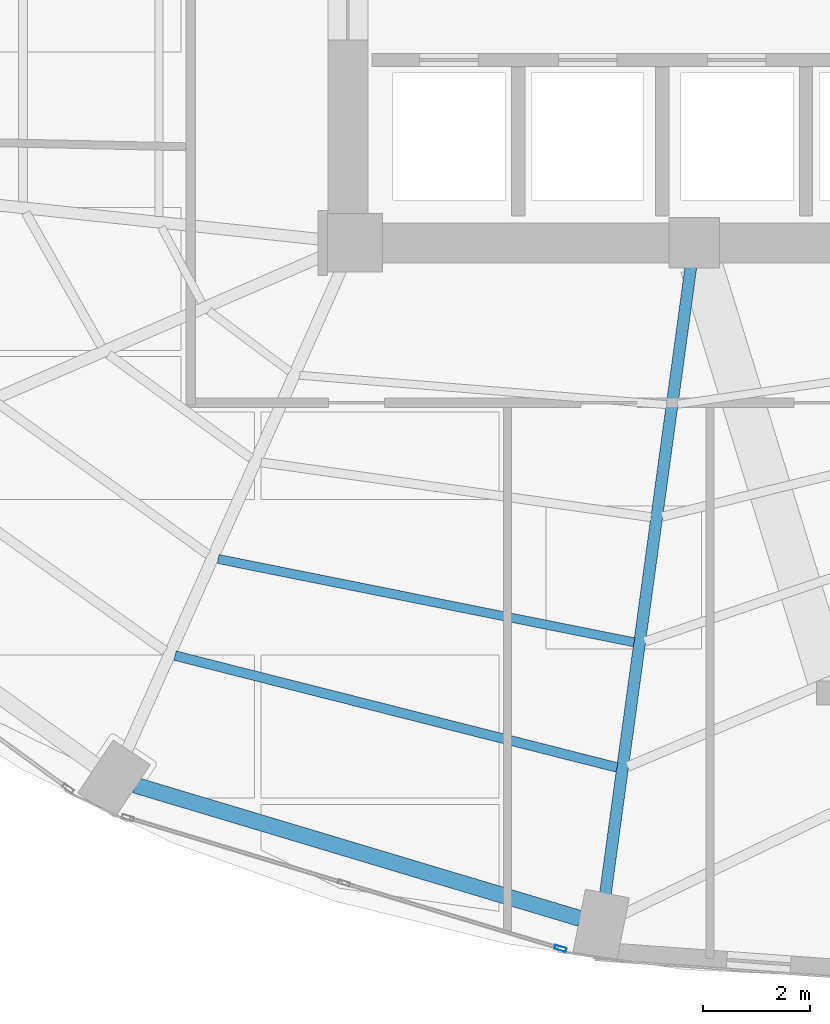
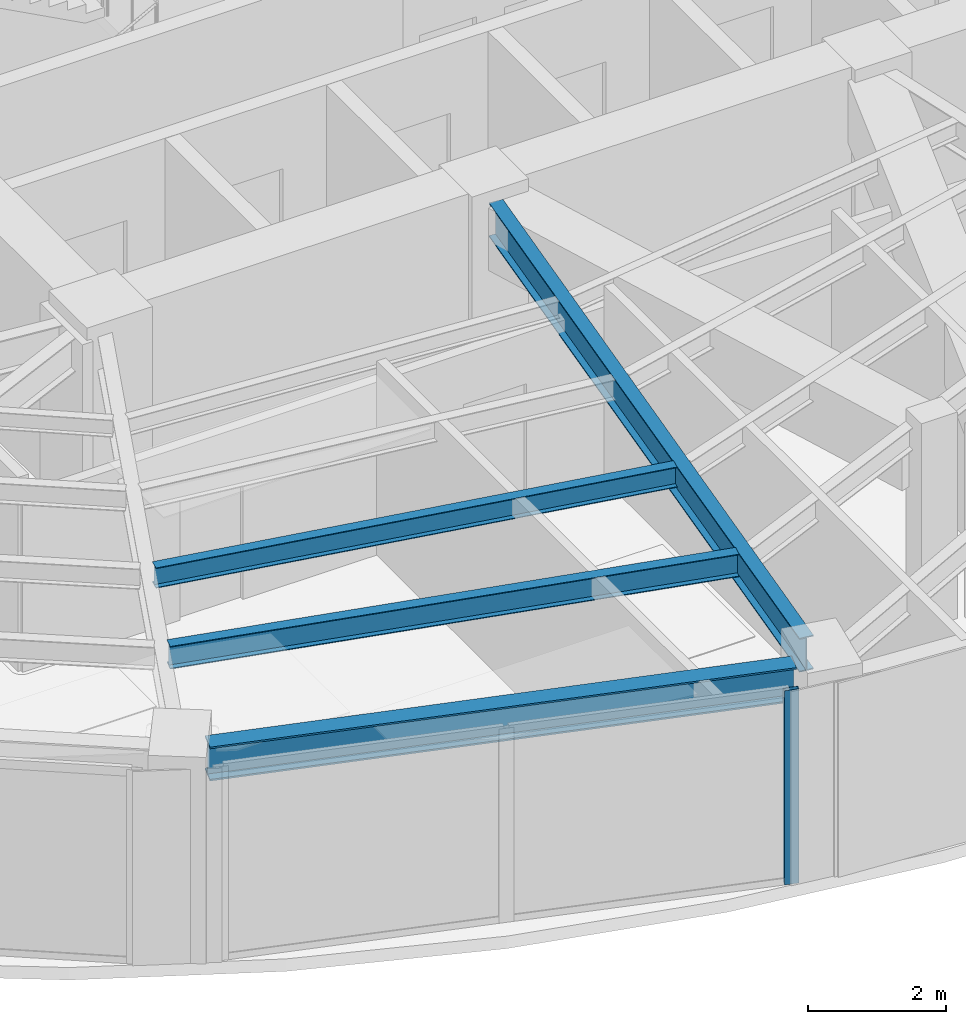
# One storey, part 5 of 23: 4 beams, 1 member, 1 element without a shape of its own.
"""IFC4 building model written with IfcOpenShell, lengths in metres."""

import ifcopenshell
import ifcopenshell.guid

model = None  # the IFC model being written
_history = None  # IfcOwnerHistory: only IFC2X3 demands one
_inside = {}  # id of a spatial element -> (the spatial element, [elements in it])
_under = {}  # id of a project, library or spatial element -> (it, [spatial elements below it])
_declared = {}  # id of a project -> (the project, [libraries it declares])
_typed = {}  # id of a type object -> (the type object, [elements of that type])
_made_of = {}  # id of a material, layer set ... -> (it, [elements and type objects made of it])


def new_model(schema):
    """Start an empty IFC model of exactly this schema.

    Asked for "IFC4X3", IfcOpenShell would pick the latest addendum, in which some entities
    have other attributes; the version numbers below select the first issue.
    IFC2X3 requires an IfcOwnerHistory on every rooted entity: one is made here for all.
    """
    global model, _history
    if schema == "IFC4X3":
        model = ifcopenshell.file(schema_version=(4, 3, 0, 0))
    else:
        model = ifcopenshell.file(schema=schema)
    _inside.clear()
    _under.clear()
    _declared.clear()
    _typed.clear()
    _made_of.clear()
    _history = None
    if model.schema == "IFC2X3":
        org = make("IfcOrganization", Name="unknown")
        user = make(
            "IfcPersonAndOrganization",
            ThePerson=make("IfcPerson", FamilyName="unknown"),
            TheOrganization=org,
        )
        app = make(
            "IfcApplication",
            ApplicationDeveloper=org,
            Version="unknown",
            ApplicationFullName="unknown",
            ApplicationIdentifier="unknown",
        )
        _history = make(
            "IfcOwnerHistory",
            OwningUser=user,
            OwningApplication=app,
            ChangeAction="ADDED",
            CreationDate=0,
        )
    return model


def make(cls, **values):
    """One entity of the class cls with the attributes given. An attribute that is None is left unset."""
    return model.create_entity(
        cls, **{name: value for name, value in values.items() if value is not None}
    )


def rooted(cls, **values):
    """An entity with a GlobalId (a new one), such as an element, a storey or a relation."""
    return make(cls, GlobalId=ifcopenshell.guid.new(), OwnerHistory=_history, **values)


def si_unit(unit_type, name, prefix=None):
    """IfcSIUnit, for example si_unit("LENGTHUNIT", "METRE", prefix="MILLI")."""
    return make("IfcSIUnit", UnitType=unit_type, Prefix=prefix, Name=name)


def assignment(units):
    """IfcUnitAssignment: the units of a project."""
    return None if units is None else make("IfcUnitAssignment", Units=units)


def point(xyz):
    """IfcCartesianPoint."""
    return None if xyz is None else make("IfcCartesianPoint", Coordinates=xyz)


def direction(xyz):
    """IfcDirection."""
    return None if xyz is None else make("IfcDirection", DirectionRatios=xyz)


def frame(location, z_axis=None, x_axis=None):
    """IfcAxis2Placement3D, a coordinate frame: its origin and axes. An axis left out is left unset."""
    return make(
        "IfcAxis2Placement3D",
        Location=point(location),
        Axis=direction(z_axis),
        RefDirection=direction(x_axis),
    )


def frame_2d(location, x_axis=None):
    """IfcAxis2Placement2D, a coordinate frame in the plane: its origin and x axis."""
    return make(
        "IfcAxis2Placement2D", Location=point(location), RefDirection=direction(x_axis)
    )


def origin():
    """The frame at (0, 0, 0) with its axes left unset."""
    return frame((0.0, 0.0, 0.0))


def origin_2d():
    """The frame at (0, 0) in the plane with its x axis left unset."""
    return frame_2d((0.0, 0.0))


def place(relative_to, where):
    """IfcLocalPlacement: puts the frame where relative to a parent placement (None: the world)."""
    return make(
        "IfcLocalPlacement", PlacementRelTo=relative_to, RelativePlacement=where
    )


def context(
    kind, dimensions, precision=None, world=None, true_north=None, identifier=None
):
    """IfcGeometricRepresentationContext, for example the 3D "Model" context."""
    return make(
        "IfcGeometricRepresentationContext",
        ContextIdentifier=identifier,
        ContextType=kind,
        CoordinateSpaceDimension=dimensions,
        Precision=precision,
        WorldCoordinateSystem=world,
        TrueNorth=true_north,
    )


def subcontext(parent, identifier, kind, view, scale=None):
    """IfcGeometricRepresentationSubContext, for example "Body" below "Model"."""
    return make(
        "IfcGeometricRepresentationSubContext",
        ContextIdentifier=identifier,
        ContextType=kind,
        ParentContext=parent,
        TargetScale=scale,
        TargetView=view,
    )


def project(units=None, contexts=None):
    """IfcProject with its units and contexts."""
    return rooted(
        "IfcProject",
        Name="project",
        RepresentationContexts=contexts,
        UnitsInContext=assignment(units),
    )


def spatial(cls, under=None, at=None, **own):
    """A site, building, storey or space (cls), placed at a placement, below another one or the project."""
    s = rooted(cls, ObjectPlacement=at, **own)
    if under is not None:
        _under.setdefault(under.id(), (under, []))[1].append(s)
    return s


def profile(cls, at=None, kind="AREA", **sizes):
    """A parametric profile (cls). Its sizes go by their IFC names, for example OverallWidth=200.0."""
    return make(cls, ProfileType=kind, Position=at, **sizes)


def hollow_rectangle(**sizes):
    """IfcRectangleHollowProfileDef."""
    return profile("IfcRectangleHollowProfileDef", **sizes)


def i_section(**sizes):
    """IfcIShapeProfileDef."""
    return profile("IfcIShapeProfileDef", **sizes)


def extrude(swept, where, along, depth):
    """IfcExtrudedAreaSolid: the profile swept, set in the frame where, extruded along a direction by depth."""
    return make(
        "IfcExtrudedAreaSolid",
        SweptArea=swept,
        Position=where,
        ExtrudedDirection=direction(along),
        Depth=depth,
    )


def shape(context_of_items, identifier, shape_type, items):
    """IfcShapeRepresentation: the items that make up one representation, for example the "Body"."""
    return make(
        "IfcShapeRepresentation",
        ContextOfItems=context_of_items,
        RepresentationIdentifier=identifier,
        RepresentationType=shape_type,
        Items=items,
    )


def material(Name=None, Category=None):
    """IfcMaterial."""
    return make("IfcMaterial", Name=Name, Category=Category)


def layer(
    of_material, thickness, ventilated=None, Name=None, Category=None, Priority=None
):
    """IfcMaterialLayer: one layer of a wall or slab, of a material (None: an air gap)."""
    return make(
        "IfcMaterialLayer",
        Material=of_material,
        LayerThickness=thickness,
        IsVentilated=ventilated,
        Name=Name,
        Category=Category,
        Priority=Priority,
    )


def layer_set(layers, Name=None):
    """IfcMaterialLayerSet."""
    return make("IfcMaterialLayerSet", MaterialLayers=layers, LayerSetName=Name)


def material_profile(
    of_material, cross_section, Name=None, Category=None, Priority=None
):
    """IfcMaterialProfile: a cross section and its material."""
    return make(
        "IfcMaterialProfile",
        Name=Name,
        Material=of_material,
        Profile=cross_section,
        Priority=Priority,
        Category=Category,
    )


def profile_set(profiles, Name=None, composite=None):
    """IfcMaterialProfileSet."""
    return make(
        "IfcMaterialProfileSet",
        Name=Name,
        MaterialProfiles=profiles,
        CompositeProfile=composite,
    )


def made_of(thing, what):
    """Note that an element or type object is made of a material, layer set ...; save() writes the relation."""
    if what is not None:
        _made_of.setdefault(what.id(), (what, []))[1].append(thing)
    return thing


def type_object(cls, material=None, **own):
    """A type object (cls), such as IfcWallType, which elements share."""
    return made_of(rooted(cls, **own), material)


def element(
    cls,
    number,
    at=None,
    inside=None,
    cuts=None,
    type_object=None,
    material=None,
    context=None,
    identifier="Body",
    shape_type=None,
    held_by="IfcProductDefinitionShape",
    body=None,
    shapes=None,
    **own,
):
    """One element of the class cls, such as IfcWall. Its Tag is "e" and its number.

    at: its placement. inside: the storey or other place that contains it. cuts: it is an
    opening in that element (IfcRelVoidsElement). A single representation is given by context,
    identifier, shape_type and body (its items); several are given by shapes. held_by: the class
    of the entity that holds the representations. save() writes the other relations.
    """
    e = rooted(cls, Tag="e%d" % number, ObjectPlacement=at, **own)
    if body is not None:
        shapes = [shape(context, identifier, shape_type, body)]
    if shapes is not None:
        e.Representation = make(held_by, Representations=shapes)
    if inside is not None:
        _inside.setdefault(inside.id(), (inside, []))[1].append(e)
    if cuts is not None:
        rooted(
            "IfcRelVoidsElement", RelatingBuildingElement=cuts, RelatedOpeningElement=e
        )
    if type_object is not None:
        _typed.setdefault(type_object.id(), (type_object, []))[1].append(e)
    return made_of(e, material)


def aggregate(whole, parts):
    """IfcRelAggregates: a whole, such as a stair, and the parts it consists of."""
    return rooted("IfcRelAggregates", RelatingObject=whole, RelatedObjects=parts)


def save(model, path):
    """Write the relations noted so far, then the file.

    IfcRelAggregates (storeys below a building ...), IfcRelContainedInSpatialStructure (elements
    in a storey), IfcRelDefinesByType, IfcRelAssociatesMaterial and IfcRelDeclares: one each for
    every whole, place, type object, material and project.
    """
    for whole, parts in _under.values():
        aggregate(whole, parts)
    for where, things in _inside.values():
        rooted(
            "IfcRelContainedInSpatialStructure",
            RelatedElements=things,
            RelatingStructure=where,
        )
    for kind, things in _typed.values():
        rooted("IfcRelDefinesByType", RelatedObjects=things, RelatingType=kind)
    for what, things in _made_of.values():
        rooted("IfcRelAssociatesMaterial", RelatedObjects=things, RelatingMaterial=what)
    for by, libraries in _declared.values():
        rooted("IfcRelDeclares", RelatingContext=by, RelatedDefinitions=libraries)
    model.write(path)


model = new_model("IFC4")

# Units and contexts
model_context = context("Model", 3, precision=1e-05, world=origin(), true_north=direction((0.0, 1.0)))
body_context = subcontext(model_context, "Body", "Model", "MODEL_VIEW")
ifc_project = project(units=[si_unit("LENGTHUNIT", "METRE"), si_unit("AREAUNIT", "SQUARE_METRE"), si_unit("VOLUMEUNIT", "CUBIC_METRE"), si_unit("PLANEANGLEUNIT", "RADIAN"), si_unit("MASSUNIT", "GRAM", prefix="KILO")], contexts=[model_context])

# Site, building, storey
site_placement = place(None, origin())
site = spatial("IfcSite", under=ifc_project, at=site_placement, CompositionType="ELEMENT")
building_placement = place(site_placement, origin())
building = spatial("IfcBuilding", under=site, at=building_placement, Name="Lazwardi Medical Tower", CompositionType="ELEMENT")
storey_placement = place(building_placement, frame((0.0, 0.0, 89.0400390625)))
storey = spatial("IfcBuildingStorey", under=building, at=storey_placement, Name="L22", CompositionType="ELEMENT", Elevation=89.0400390625)

# Beams
ifc_material_1 = material(Name="Steel S355", Category="steel")
ifc_material_profile_1 = material_profile(ifc_material_1, i_section(OverallWidth=0.300048828125, OverallDepth=0.60009765625, WebThickness=0.015380859375, FlangeThickness=0.030029296875, at=origin_2d()), Name="HEB 600")
ifc_profile_set_1 = profile_set([ifc_material_profile_1], Name="Steel S355")
beam_type_1 = type_object("IfcBeamType", Name="BM-RB-Z2", PredefinedType="BEAM", material=ifc_profile_set_1)
beam_1_placement = place(storey_placement, frame((22.30908203125, 10.224609375, 3.1279296875), z_axis=(0.957879438442, -0.287170648587, 0.0), x_axis=(0.287170648587, 0.957879438442, 0.0)))
element("IfcBeam", 1, at=beam_1_placement, inside=storey, type_object=beam_type_1, Name="Ring beam RB-03 B15 L22", PredefinedType="BEAM", context=body_context, shape_type="SweptSolid", body=[
    extrude(i_section(OverallWidth=0.300048828125, OverallDepth=0.60009765625, WebThickness=0.015380859375, FlangeThickness=0.030029296875, at=origin_2d()), origin(), (0.0, 0.0, 1.0), 8.719970703125),
])
ifc_material_profile_2 = material_profile(ifc_material_1, i_section(OverallWidth=0.219970703125, OverallDepth=0.60009765625, WebThickness=0.011962890625, FlangeThickness=0.01904296875, at=origin_2d()), Name="IPE 600")
ifc_profile_set_2 = profile_set([ifc_material_profile_2], Name="Steel S355")
beam_type_2 = type_object("IfcBeamType", Name="BM-RG-W1", PredefinedType="BEAM", material=ifc_profile_set_2)
beam_2_placement = place(storey_placement, frame((31.1328125, 8.17724609375, 3.1279296875), z_axis=(0.135147148002, 0.990825538825, 0.0), x_axis=(-0.990825538825, 0.135147148002, 0.0)))
element("IfcBeam", 2, at=beam_2_placement, inside=storey, type_object=beam_type_2, Name="Radial girder RG-02 R16 L22", PredefinedType="BEAM", context=body_context, shape_type="SweptSolid", body=[
    extrude(i_section(OverallWidth=0.219970703125, OverallDepth=0.60009765625, WebThickness=0.011962890625, FlangeThickness=0.01904296875, at=origin_2d()), origin(), (0.0, 0.0, 1.0), 11.875732421875),
])
ifc_material_profile_3 = material_profile(ifc_material_1, i_section(OverallWidth=0.179931640625, OverallDepth=0.39990234375, WebThickness=0.008544921875, FlangeThickness=0.013427734375, at=origin_2d()), Name="IPE 400")
ifc_profile_set_3 = profile_set([ifc_material_profile_3], Name="Steel S355")
beam_type_3 = type_object("IfcBeamType", Name="BM-SJ-01", PredefinedType="JOIST", material=ifc_profile_set_3)
beam_3_placement = place(storey_placement, frame((23.060302734375, 12.654296875, 3.22802734375), z_axis=(0.96945186753, -0.245281626997, 0.0), x_axis=(0.245281626997, 0.96945186753, 0.0)))
element("IfcBeam", 3, at=beam_3_placement, inside=storey, type_object=beam_type_3, Name="Secondary joist SJ-01 R1 B15 L22", PredefinedType="JOIST", context=body_context, shape_type="SweptSolid", body=[
    extrude(i_section(OverallWidth=0.179931640625, OverallDepth=0.39990234375, WebThickness=0.008544921875, FlangeThickness=0.013427734375, at=origin_2d()), origin(), (0.0, 0.0, 1.0), 8.552978515625),
])
ifc_material_profile_4 = material_profile(ifc_material_1, i_section(OverallWidth=0.169921875, OverallDepth=0.360107421875, WebThickness=0.008056640625, FlangeThickness=0.0126953125, at=origin_2d()), Name="IPE 360")
ifc_profile_set_4 = profile_set([ifc_material_profile_4], Name="Steel S355")
beam_type_4 = type_object("IfcBeamType", Name="BM-SJ-02", PredefinedType="JOIST", material=ifc_profile_set_4)
beam_4_placement = place(storey_placement, frame((23.8671875, 14.46728515625, 3.248046875), z_axis=(0.980542906584, -0.196304886203, 0.0), x_axis=(0.196304886203, 0.980542906584, 0.0)))
element("IfcBeam", 4, at=beam_4_placement, inside=storey, type_object=beam_type_4, Name="Secondary joist SJ-02 R2 B15 L22", PredefinedType="JOIST", context=body_context, shape_type="SweptSolid", body=[
    extrude(i_section(OverallWidth=0.169921875, OverallDepth=0.360107421875, WebThickness=0.008056640625, FlangeThickness=0.0126953125, at=origin_2d()), origin(), (0.0, 0.0, 1.0), 7.95947265625),
])

# Curtain wall, member
ifc_material_2 = material(Name="Anodised bronze aluminium and solar control glazing", Category="aluminium")
ifc_layer = layer(ifc_material_2, 0.195068359375)
ifc_layer_set = layer_set([ifc_layer], Name="Anodised bronze aluminium and solar control glazing")
curtain_wall_type = type_object("IfcCurtainWallType", Name="CW-SYS-03", PredefinedType="NOTDEFINED", material=ifc_layer_set)
curtain_wall_placement = place(storey_placement, origin())
curtain_wall = element("IfcCurtainWall", 5, at=curtain_wall_placement, inside=storey, type_object=curtain_wall_type, Name="L22 Unitised bronze curtain wall CW-03", PredefinedType="NOTDEFINED")
ifc_material_3 = material(Name="Anodised bronze aluminium", Category="aluminium")
ifc_material_profile_5 = material_profile(ifc_material_3, hollow_rectangle(XDim=0.074951171875, YDim=0.219970703125, WallThickness=0.00390625, at=origin_2d()), Name="ALU-MULLION 220x75x4")
ifc_profile_set_5 = profile_set([ifc_material_profile_5], Name="Anodised bronze aluminium")
member_type = type_object("IfcMemberType", Name="CW-MUL-01", PredefinedType="MULLION", material=ifc_profile_set_5)
member_placement = place(storey_placement, frame((30.289794921875, 7.159912109375, 0.0), z_axis=(0.0, 0.0, 1.0), x_axis=(0.28937381157, 0.957216170558, 0.0)))
member = element("IfcMember", 6, at=member_placement, type_object=member_type, Name="CW-03 mullion 3", PredefinedType="MULLION", context=body_context, shape_type="SweptSolid", body=[
    extrude(hollow_rectangle(XDim=0.074951171875, YDim=0.219970703125, WallThickness=0.00390625, at=origin_2d()), origin(), (0.0, 0.0, 1.0), 3.427978515625),
])
aggregate(curtain_wall, [member])

save(model, "model.ifc")
